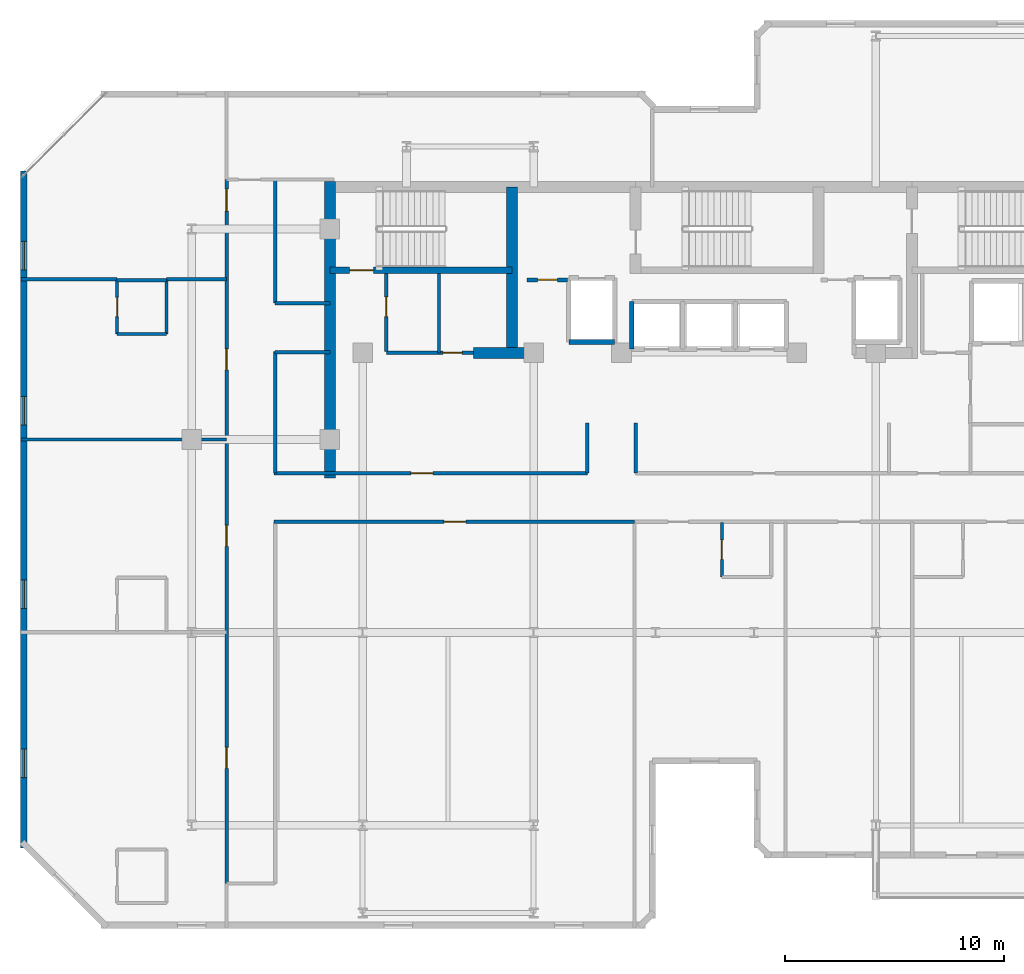
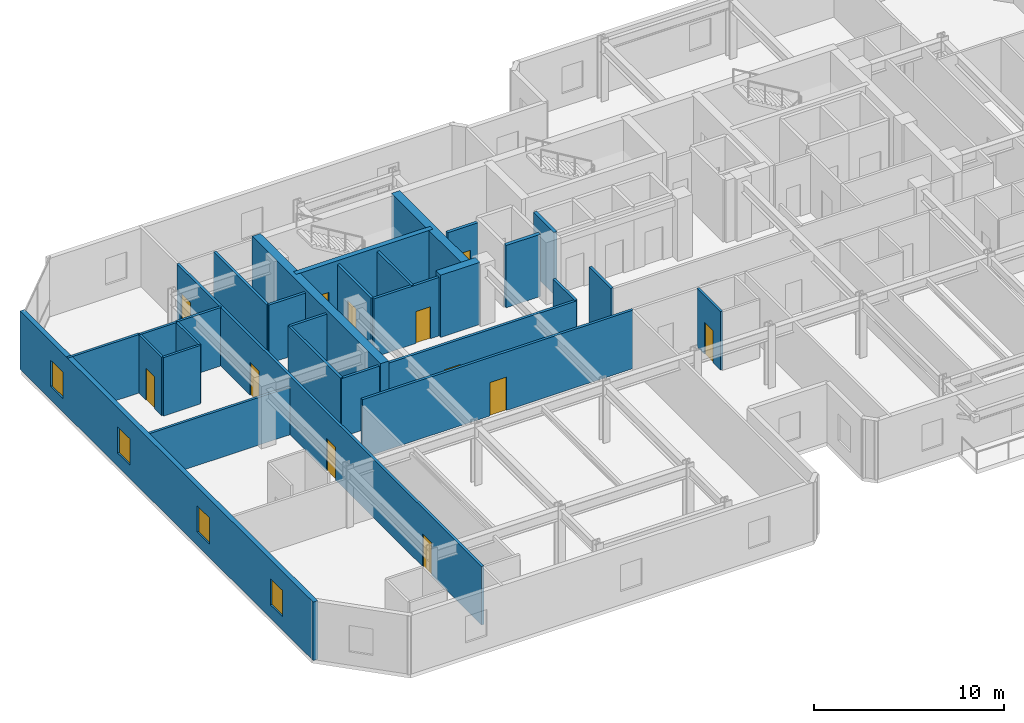
# One storey, part 4 of 11: 28 walls, 12 doors, 4 windows, 16 openings.
"""IFC4 building model written with IfcOpenShell, lengths in metres."""

from ifc_helpers import new_model, si_unit, direction, frame, frame_2d, origin, place, context, subcontext, project, spatial, rectangle, extrude, material, layer, layer_set, type_object, element, fill, save


model = new_model("IFC4")

# Units and contexts
model_context = context("Model", 3, precision=1e-05, world=origin(), true_north=direction((0.0, 1.0)))
body_context = subcontext(model_context, "Body", "Model", "MODEL_VIEW")
ifc_project = project(units=[si_unit("LENGTHUNIT", "METRE"), si_unit("AREAUNIT", "SQUARE_METRE"), si_unit("VOLUMEUNIT", "CUBIC_METRE"), si_unit("PLANEANGLEUNIT", "RADIAN"), si_unit("MASSUNIT", "GRAM", prefix="KILO")], contexts=[model_context])

# Site, building, storey
site_placement = place(None, origin())
site = spatial("IfcSite", under=ifc_project, at=site_placement, CompositionType="ELEMENT")
building_placement = place(site_placement, origin())
building = spatial("IfcBuilding", under=site, at=building_placement, Name="Kestravale Grand Hotel", CompositionType="ELEMENT")
storey_placement = place(building_placement, frame((0.0, 0.0, 249.39990234375)))
storey = spatial("IfcBuildingStorey", under=building, at=storey_placement, Name="L62", CompositionType="ELEMENT", Elevation=249.39990234375)

# Walls
ifc_material_1 = material(Name="Concrete f'c 50 MPa", Category="concrete")
ifc_layer_1 = layer(ifc_material_1, 0.5)
ifc_layer_set_1 = layer_set([ifc_layer_1], Name="EW-CORE-500")
wall_type_1 = type_object("IfcWallType", Name="EW-CORE-500", PredefinedType="SHEAR", material=ifc_layer_set_1)
wall_1_placement = place(storey_placement, frame((21.89990234375, 27.050048828125, 0.0), z_axis=(0.0, 0.0, 1.0), x_axis=(0.0, 1.0, 0.0)))
element("IfcWall", 1, at=wall_1_placement, inside=storey, type_object=wall_type_1, Name="L62 core shear wall W1", PredefinedType="SHEAR", context=body_context, shape_type="SweptSolid", body=[
    extrude(rectangle(XDim=13.52001953125, YDim=0.5, at=frame_2d((6.760009765625, 0.0))), origin(), (0.0, 0.0, 1.0), 4.0),
])
wall_2_placement = place(storey_placement, frame((28.449951171875, 32.75, 0.0), z_axis=(0.0, 0.0, 1.0), x_axis=(1.0, 0.0, 0.0)))
element("IfcWall", 2, at=wall_2_placement, inside=storey, type_object=wall_type_1, Name="L62 core shear wall S1", PredefinedType="SHEAR", context=body_context, shape_type="SweptSolid", body=[
    extrude(rectangle(XDim=2.400146484375, YDim=0.5, at=frame_2d((1.2001953125, 0.0))), origin(), (0.0, 0.0, 1.0), 4.0),
])
wall_3_placement = place(storey_placement, frame((30.219970703125, 33.0, 0.0), z_axis=(0.0, 0.0, 1.0), x_axis=(0.0, 1.0, 0.0)))
element("IfcWall", 3, at=wall_3_placement, inside=storey, type_object=wall_type_1, Name="L62 core shear wall X1", PredefinedType="SHEAR", context=body_context, shape_type="SweptSolid", body=[
    extrude(rectangle(XDim=7.320068359375, YDim=0.5, at=frame_2d((3.66015625, 0.0))), origin(), (0.0, 0.0, 1.0), 4.0),
])

# Wall, openings, windows
ifc_material_2 = material(Name="Precast concrete f'c 45 MPa", Category="concrete")
ifc_layer_2 = layer(ifc_material_2, 0.280029296875)
ifc_layer_set_2 = layer_set([ifc_layer_2], Name="EW-PREC-280")
wall_type_2 = type_object("IfcWallType", Name="EW-PREC-280", PredefinedType="SOLIDWALL", material=ifc_layer_set_2)
wall_4_placement = place(storey_placement, frame((7.93994140625, 41.0400390625, 0.0), z_axis=(0.0, 0.0, 1.0), x_axis=(0.0, -1.0, 0.0)))
wall_4 = element("IfcWall", 4, at=wall_4_placement, inside=storey, type_object=wall_type_2, Name="L62 fluted precast facade wall 19", PredefinedType="SOLIDWALL", context=body_context, shape_type="SweptSolid", body=[
    extrude(rectangle(XDim=30.880126953125, YDim=0.280029296875, at=frame_2d((15.43994140625, 0.0))), origin(), (0.0, 0.0, 1.0), 3.760009765625),
])
opening_1_placement = place(wall_4_placement, frame((3.2099609375, 0.0, 0.85009765625)))
opening_1 = element("IfcOpeningElement", 5, at=opening_1_placement, cuts=wall_4, Name="Opening W-GUEST-1300", PredefinedType="OPENING", context=body_context, shape_type="SweptSolid", body=[
    extrude(rectangle(XDim=1.300048828125, YDim=1.699951171875, at=frame_2d((0.64990234375, 0.85009765625))), frame((0.0, 0.14990234375, 0.0), z_axis=(0.0, -1.0, 0.0), x_axis=(1.0, 0.0, 0.0)), (0.0, 0.0, 1.0), 0.300048828125),
])
opening_2_placement = place(wall_4_placement, frame((10.280029296875, 0.0, 0.85009765625)))
opening_2 = element("IfcOpeningElement", 6, at=opening_2_placement, cuts=wall_4, Name="Opening W-GUEST-1300", PredefinedType="OPENING", context=body_context, shape_type="SweptSolid", body=[
    extrude(rectangle(XDim=1.300048828125, YDim=1.699951171875, at=frame_2d((0.64990234375, 0.85009765625))), frame((0.0, 0.14990234375, 0.0), z_axis=(0.0, -1.0, 0.0), x_axis=(1.0, 0.0, 0.0)), (0.0, 0.0, 1.0), 0.300048828125),
])
opening_3_placement = place(wall_4_placement, frame((18.64990234375, 0.0, 0.85009765625)))
opening_3 = element("IfcOpeningElement", 7, at=opening_3_placement, cuts=wall_4, Name="Opening W-GUEST-1300", PredefinedType="OPENING", context=body_context, shape_type="SweptSolid", body=[
    extrude(rectangle(XDim=1.300048828125, YDim=1.699951171875, at=frame_2d((0.64990234375, 0.85009765625))), frame((0.0, 0.14990234375, 0.0), z_axis=(0.0, -1.0, 0.0), x_axis=(1.0, 0.0, 0.0)), (0.0, 0.0, 1.0), 0.300048828125),
])
opening_4_placement = place(wall_4_placement, frame((26.3701171875, 0.0, 0.85009765625)))
opening_4 = element("IfcOpeningElement", 8, at=opening_4_placement, cuts=wall_4, Name="Opening W-GUEST-1300", PredefinedType="OPENING", context=body_context, shape_type="SweptSolid", body=[
    extrude(rectangle(XDim=1.300048828125, YDim=1.699951171875, at=frame_2d((0.64990234375, 0.85009765625))), frame((0.0, 0.14990234375, 0.0), z_axis=(0.0, -1.0, 0.0), x_axis=(1.0, 0.0, 0.0)), (0.0, 0.0, 1.0), 0.300048828125),
])
ifc_material_3 = material(Name="Insulated low-E double glazing in aluminium frame", Category="aluminium")
window_type = type_object("IfcWindowType", Name="W-GUEST-1300", PartitioningType="SINGLE_PANEL", PredefinedType="WINDOW", material=ifc_material_3)
window_1_placement = place(opening_1_placement, origin())
window_1 = element("IfcWindow", 9, at=window_1_placement, inside=storey, type_object=window_type, Name="L62 exterior window 19.1", OverallHeight=1.699951171875, OverallWidth=1.300048828125, PartitioningType="SINGLE_PANEL", PredefinedType="WINDOW", context=body_context, shape_type="SweptSolid", body=[
    extrude(rectangle(XDim=1.300048828125, YDim=1.699951171875, at=frame_2d((0.64990234375, 0.85009765625))), frame((0.0, 0.030029296875, 0.0), z_axis=(0.0, -1.0, 0.0), x_axis=(1.0, 0.0, 0.0)), (0.0, 0.0, 1.0), 0.06005859375),
])
fill(opening_1, window_1)
window_2_placement = place(opening_2_placement, origin())
window_2 = element("IfcWindow", 10, at=window_2_placement, inside=storey, type_object=window_type, Name="L62 exterior window 19.2", OverallHeight=1.699951171875, OverallWidth=1.300048828125, PartitioningType="SINGLE_PANEL", PredefinedType="WINDOW", context=body_context, shape_type="SweptSolid", body=[
    extrude(rectangle(XDim=1.300048828125, YDim=1.699951171875, at=frame_2d((0.64990234375, 0.85009765625))), frame((0.0, 0.030029296875, 0.0), z_axis=(0.0, -1.0, 0.0), x_axis=(1.0, 0.0, 0.0)), (0.0, 0.0, 1.0), 0.06005859375),
])
fill(opening_2, window_2)
window_3_placement = place(opening_3_placement, origin())
window_3 = element("IfcWindow", 11, at=window_3_placement, inside=storey, type_object=window_type, Name="L62 exterior window 19.3", OverallHeight=1.699951171875, OverallWidth=1.300048828125, PartitioningType="SINGLE_PANEL", PredefinedType="WINDOW", context=body_context, shape_type="SweptSolid", body=[
    extrude(rectangle(XDim=1.300048828125, YDim=1.699951171875, at=frame_2d((0.64990234375, 0.85009765625))), frame((0.0, 0.030029296875, 0.0), z_axis=(0.0, -1.0, 0.0), x_axis=(1.0, 0.0, 0.0)), (0.0, 0.0, 1.0), 0.06005859375),
])
fill(opening_3, window_3)
window_4_placement = place(opening_4_placement, origin())
window_4 = element("IfcWindow", 12, at=window_4_placement, inside=storey, type_object=window_type, Name="L62 exterior window 19.4", OverallHeight=1.699951171875, OverallWidth=1.300048828125, PartitioningType="SINGLE_PANEL", PredefinedType="WINDOW", context=body_context, shape_type="SweptSolid", body=[
    extrude(rectangle(XDim=1.300048828125, YDim=1.699951171875, at=frame_2d((0.64990234375, 0.85009765625))), frame((0.0, 0.030029296875, 0.0), z_axis=(0.0, -1.0, 0.0), x_axis=(1.0, 0.0, 0.0)), (0.0, 0.0, 1.0), 0.06005859375),
])
fill(opening_4, window_4)

# Wall, opening, door
ifc_material_4 = material(Name="Concrete f'c 45 MPa", Category="concrete")
ifc_layer_3 = layer(ifc_material_4, 0.300048828125)
ifc_layer_set_3 = layer_set([ifc_layer_3], Name="EW-STAIR-300")
wall_type_3 = type_object("IfcWallType", Name="EW-STAIR-300", PredefinedType="SHEAR", material=ifc_layer_set_3)
wall_5_placement = place(storey_placement, frame((21.89990234375, 36.52001953125, 0.0), z_axis=(0.0, 0.0, 1.0), x_axis=(1.0, 0.0, 0.0)))
wall_5 = element("IfcWall", 13, at=wall_5_placement, inside=storey, type_object=wall_type_3, Name="L62 stair enclosure shear wall SST1", PredefinedType="SHEAR", context=body_context, shape_type="SweptSolid", body=[
    extrude(rectangle(XDim=8.320068359375, YDim=0.300048828125, at=frame_2d((4.16015625, 0.0))), origin(), (0.0, 0.0, 1.0), 4.0),
])
opening_5_placement = place(wall_5_placement, frame((0.89990234375, 0.0, 0.0)))
opening_5 = element("IfcOpeningElement", 14, at=opening_5_placement, cuts=wall_5, Name="Opening D-ST-1100", PredefinedType="OPENING", context=body_context, shape_type="SweptSolid", body=[
    extrude(rectangle(XDim=1.10009765625, YDim=2.14990234375, at=frame_2d((0.550048828125, 1.074951171875))), frame((0.0, 0.159912109375, 0.0), z_axis=(0.0, -1.0, 0.0), x_axis=(1.0, 0.0, 0.0)), (0.0, 0.0, 1.0), 0.320068359375),
])
ifc_material_5 = material(Name="Galvanised 90-minute fire-rated steel stair door", Category="steel")
door_type_1 = type_object("IfcDoorType", Name="D-ST-1100", OperationType="NOTDEFINED", PredefinedType="DOOR", material=ifc_material_5)
door_1_placement = place(opening_5_placement, origin())
door_1 = element("IfcDoor", 15, at=door_1_placement, inside=storey, type_object=door_type_1, Name="L62 Stair ST-1 fire door", OperationType="SINGLE_SWING_RIGHT", OverallHeight=2.14990234375, OverallWidth=1.10009765625, PredefinedType="DOOR", context=body_context, shape_type="SweptSolid", body=[
    extrude(rectangle(XDim=1.10009765625, YDim=2.14990234375, at=frame_2d((0.550048828125, 1.074951171875))), frame((0.0, 0.02490234375, 0.0), z_axis=(0.0, -1.0, 0.0), x_axis=(1.0, 0.0, 0.0)), (0.0, 0.0, 1.0), 0.050048828125),
])
fill(opening_5, door_1)

ifc_material_6 = material(Name="Acoustic fire-rated gypsum board partition", Category="other")
ifc_layer_4 = layer(ifc_material_6, 0.159912109375)
ifc_layer_set_4 = layer_set([ifc_layer_4], Name="IW-CORR-160")
wall_type_4 = type_object("IfcWallType", Name="IW-CORR-160", PredefinedType="PARTITIONING", material=ifc_layer_set_4)
wall_6_placement = place(storey_placement, frame((24.47998046875, 32.800048828125, 0.0), z_axis=(0.0, 0.0, 1.0), x_axis=(0.0, 1.0, 0.0)))
wall_6 = element("IfcWall", 16, at=wall_6_placement, inside=storey, type_object=wall_type_4, Name="L62 west core vestibule wall", PredefinedType="PARTITIONING", context=body_context, shape_type="SweptSolid", body=[
    extrude(rectangle(XDim=3.570068359375, YDim=0.159912109375, at=frame_2d((1.78515625, 0.0))), origin(), (0.0, 0.0, 1.0), 3.760009765625),
])
opening_6_placement = place(wall_6_placement, frame((1.603515625, 0.0, 0.0)))
opening_6 = element("IfcOpeningElement", 17, at=opening_6_placement, cuts=wall_6, Name="Opening D-SH-900", PredefinedType="OPENING", context=body_context, shape_type="SweptSolid", body=[
    extrude(rectangle(XDim=0.89990234375, YDim=2.10009765625, at=frame_2d((0.449951171875, 1.050048828125))), frame((0.0, 0.08984375, 0.0), z_axis=(0.0, -1.0, 0.0), x_axis=(1.0, 0.0, 0.0)), (0.0, 0.0, 1.0), 0.179931640625),
])
ifc_material_7 = material(Name="Galvanised 90-minute shaft and service fire door", Category="steel")
door_type_2 = type_object("IfcDoorType", Name="D-SH-900", OperationType="NOTDEFINED", PredefinedType="DOOR", material=ifc_material_7)
door_2_placement = place(opening_6_placement, origin())
door_2 = element("IfcDoor", 18, at=door_2_placement, inside=storey, type_object=door_type_2, Name="D-L62-HK", OperationType="SINGLE_SWING_RIGHT", OverallHeight=2.10009765625, OverallWidth=0.89990234375, PredefinedType="DOOR", context=body_context, shape_type="SweptSolid", body=[
    extrude(rectangle(XDim=0.89990234375, YDim=2.10009765625, at=frame_2d((0.449951171875, 1.050048828125))), frame((0.0, 0.02490234375, 0.0), z_axis=(0.0, -1.0, 0.0), x_axis=(1.0, 0.0, 0.0)), (0.0, 0.0, 1.0), 0.050048828125),
])
fill(opening_6, door_2)

wall_7_placement = place(storey_placement, frame((24.47998046875, 32.75, 0.0), z_axis=(0.0, 0.0, 1.0), x_axis=(1.0, 0.0, 0.0)))
wall_7 = element("IfcWall", 19, at=wall_7_placement, inside=storey, type_object=wall_type_4, Name="W-L62-CWS", PredefinedType="PARTITIONING", context=body_context, shape_type="SweptSolid", body=[
    extrude(rectangle(XDim=3.969970703125, YDim=0.159912109375, at=frame_2d((1.98486328125, 0.0))), origin(), (0.0, 0.0, 1.0), 3.760009765625),
])
opening_7_placement = place(wall_7_placement, frame((2.574951171875, 0.0, 0.0)))
opening_7 = element("IfcOpeningElement", 20, at=opening_7_placement, cuts=wall_7, Name="Opening D-BATH-880", PredefinedType="OPENING", context=body_context, shape_type="SweptSolid", body=[
    extrude(rectangle(XDim=0.8798828125, YDim=2.050048828125, at=frame_2d((0.43994140625, 1.02490234375))), frame((0.0, 0.08984375, 0.0), z_axis=(0.0, -1.0, 0.0), x_axis=(1.0, 0.0, 0.0)), (0.0, 0.0, 1.0), 0.179931640625),
])
ifc_material_8 = material(Name="Moisture-sealed walnut en-suite bathroom door", Category="wood")
door_type_3 = type_object("IfcDoorType", Name="D-BATH-880", OperationType="NOTDEFINED", PredefinedType="DOOR", material=ifc_material_8)
door_3_placement = place(opening_7_placement, origin())
door_3 = element("IfcDoor", 21, at=door_3_placement, inside=storey, type_object=door_type_3, Name="D-L62-SWC", OperationType="SINGLE_SWING_RIGHT", OverallHeight=2.050048828125, OverallWidth=0.8798828125, PredefinedType="DOOR", context=body_context, shape_type="SweptSolid", body=[
    extrude(rectangle(XDim=0.8798828125, YDim=2.050048828125, at=frame_2d((0.43994140625, 1.02490234375))), frame((0.0, 0.02490234375, 0.0), z_axis=(0.0, -1.0, 0.0), x_axis=(1.0, 0.0, 0.0)), (0.0, 0.0, 1.0), 0.050048828125),
])
fill(opening_7, door_3)

wall_8_placement = place(storey_placement, frame((19.35009765625, 27.260009765625, 0.0), z_axis=(0.0, 0.0, 1.0), x_axis=(1.0, 0.0, 0.0)))
wall_8 = element("IfcWall", 22, at=wall_8_placement, inside=storey, type_object=wall_type_4, Name="W-L62-CW-N", PredefinedType="PARTITIONING", context=body_context, shape_type="SweptSolid", body=[
    extrude(rectangle(XDim=14.2998046875, YDim=0.159912109375, at=frame_2d((7.14990234375, 0.0))), origin(), (0.0, 0.0, 1.0), 3.760009765625),
])
opening_8_placement = place(wall_8_placement, frame((6.25, 0.0, 0.0)))
opening_8 = element("IfcOpeningElement", 23, at=opening_8_placement, cuts=wall_8, Name="Opening D-GUEST-1000", PredefinedType="OPENING", context=body_context, shape_type="SweptSolid", body=[
    extrude(rectangle(XDim=1.0, YDim=2.14990234375, at=frame_2d((0.5, 1.074951171875))), frame((0.0, 0.08984375, 0.0), z_axis=(0.0, -1.0, 0.0), x_axis=(1.0, 0.0, 0.0)), (0.0, 0.0, 1.0), 0.179931640625),
])
ifc_material_9 = material(Name="Accessible walnut veneer hotel entrance fire door", Category="wood")
door_type_4 = type_object("IfcDoorType", Name="D-GUEST-1000", OperationType="NOTDEFINED", PredefinedType="DOOR", material=ifc_material_9)
door_4_placement = place(opening_8_placement, origin())
door_4 = element("IfcDoor", 24, at=door_4_placement, inside=storey, type_object=door_type_4, Name="D-L62-RECL-W", OperationType="SINGLE_SWING_LEFT", OverallHeight=2.14990234375, OverallWidth=1.0, PredefinedType="DOOR", context=body_context, shape_type="SweptSolid", body=[
    extrude(rectangle(XDim=1.0, YDim=2.14990234375, at=frame_2d((0.5, 1.074951171875))), frame((0.0, 0.02490234375, 0.0), z_axis=(0.0, -1.0, 0.0), x_axis=(1.0, 0.0, 0.0)), (0.0, 0.0, 1.0), 0.050048828125),
])
fill(opening_8, door_4)

# Walls
for number, where, z_axis, x_axis, name in (
    (25, (33.64990234375, 27.260009765625, 0.0), (0.0, 0.0, 1.0), (0.0, 1.0, 0.0), "W-L62-TRUNK-W"),
    (26, (35.85009765625, 27.260009765625, 0.0), (0.0, 0.0, 1.0), (0.0, 1.0, 0.0), "W-L62-TRUNK-E"),
):
    element("IfcWall", number, at=place(storey_placement, frame(where, z_axis=z_axis, x_axis=x_axis)), inside=storey, type_object=wall_type_4, Name=name, PredefinedType="PARTITIONING", context=body_context, shape_type="SweptSolid", body=[
        extrude(rectangle(XDim=2.2900390625, YDim=0.159912109375, at=frame_2d((1.14501953125, 0.0))), origin(), (0.0, 0.0, 1.0), 3.760009765625),
    ])

# Wall, opening, door
wall_9_placement = place(storey_placement, frame((19.35009765625, 25.0400390625, 0.0), z_axis=(0.0, 0.0, 1.0), x_axis=(1.0, 0.0, 0.0)))
wall_9 = element("IfcWall", 27, at=wall_9_placement, inside=storey, type_object=wall_type_4, Name="W-L62-CW-S", PredefinedType="PARTITIONING", context=body_context, shape_type="SweptSolid", body=[
    extrude(rectangle(XDim=16.449951171875, YDim=0.159912109375, at=frame_2d((8.22509765625, 0.0))), origin(), (0.0, 0.0, 1.0), 3.760009765625),
])
opening_9_placement = place(wall_9_placement, frame((7.7548828125, 0.0, 0.0)))
opening_9 = element("IfcOpeningElement", 28, at=opening_9_placement, cuts=wall_9, Name="Opening D-GUEST-1000", PredefinedType="OPENING", context=body_context, shape_type="SweptSolid", body=[
    extrude(rectangle(XDim=1.0, YDim=2.14990234375, at=frame_2d((0.5, 1.074951171875))), frame((0.0, 0.08984375, 0.0), z_axis=(0.0, -1.0, 0.0), x_axis=(1.0, 0.0, 0.0)), (0.0, 0.0, 1.0), 0.179931640625),
])
door_5_placement = place(opening_9_placement, origin())
door_5 = element("IfcDoor", 29, at=door_5_placement, inside=storey, type_object=door_type_4, Name="D-L62-AMW", OperationType="SINGLE_SWING_RIGHT", OverallHeight=2.14990234375, OverallWidth=1.0, PredefinedType="DOOR", context=body_context, shape_type="SweptSolid", body=[
    extrude(rectangle(XDim=1.0, YDim=2.14990234375, at=frame_2d((0.5, 1.074951171875))), frame((0.0, 0.02490234375, 0.0), z_axis=(0.0, -1.0, 0.0), x_axis=(1.0, 0.0, 0.0)), (0.0, 0.0, 1.0), 0.050048828125),
])
fill(opening_9, door_5)

# Wall, openings, doors
wall_10_placement = place(storey_placement, frame((17.18994140625, 8.550048828125, 0.0), z_axis=(0.0, 0.0, 1.0), x_axis=(0.0, 1.0, 0.0)))
wall_10 = element("IfcWall", 30, at=wall_10_placement, inside=storey, type_object=wall_type_4, Name="W-L62-SW-W", PredefinedType="PARTITIONING", context=body_context, shape_type="SweptSolid", body=[
    extrude(rectangle(XDim=32.099853515625, YDim=0.159912109375, at=frame_2d((16.0498046875, 0.0))), origin(), (0.0, 0.0, 1.0), 3.760009765625),
])
opening_10_placement = place(wall_10_placement, frame((5.25, 0.0, 0.0)))
opening_10 = element("IfcOpeningElement", 31, at=opening_10_placement, cuts=wall_10, Name="Opening D-GUEST-950", PredefinedType="OPENING", context=body_context, shape_type="SweptSolid", body=[
    extrude(rectangle(XDim=0.949951171875, YDim=2.10009765625, at=frame_2d((0.47509765625, 1.050048828125))), frame((0.0, 0.08984375, 0.0), z_axis=(0.0, -1.0, 0.0), x_axis=(1.0, 0.0, 0.0)), (0.0, 0.0, 1.0), 0.179931640625),
])
opening_11_placement = place(wall_10_placement, frame((15.375, 0.0, 0.0)))
opening_11 = element("IfcOpeningElement", 32, at=opening_11_placement, cuts=wall_10, Name="Opening D-GUEST-950", PredefinedType="OPENING", context=body_context, shape_type="SweptSolid", body=[
    extrude(rectangle(XDim=0.949951171875, YDim=2.10009765625, at=frame_2d((0.47509765625, 1.050048828125))), frame((0.0, 0.08984375, 0.0), z_axis=(0.0, -1.0, 0.0), x_axis=(1.0, 0.0, 0.0)), (0.0, 0.0, 1.0), 0.179931640625),
])
opening_12_placement = place(wall_10_placement, frame((23.425048828125, 0.0, 0.0)))
opening_12 = element("IfcOpeningElement", 33, at=opening_12_placement, cuts=wall_10, Name="Opening D-GUEST-950", PredefinedType="OPENING", context=body_context, shape_type="SweptSolid", body=[
    extrude(rectangle(XDim=0.949951171875, YDim=2.10009765625, at=frame_2d((0.47509765625, 1.050048828125))), frame((0.0, 0.08984375, 0.0), z_axis=(0.0, -1.0, 0.0), x_axis=(1.0, 0.0, 0.0)), (0.0, 0.0, 1.0), 0.179931640625),
])
opening_13_placement = place(wall_10_placement, frame((30.659912109375, 0.0, 0.0)))
opening_13 = element("IfcOpeningElement", 34, at=opening_13_placement, cuts=wall_10, Name="Opening D-GUEST-1000", PredefinedType="OPENING", context=body_context, shape_type="SweptSolid", body=[
    extrude(rectangle(XDim=1.0, YDim=2.14990234375, at=frame_2d((0.5, 1.074951171875))), frame((0.0, 0.08984375, 0.0), z_axis=(0.0, -1.0, 0.0), x_axis=(1.0, 0.0, 0.0)), (0.0, 0.0, 1.0), 0.179931640625),
])
door_6_placement = place(opening_13_placement, origin())
door_6 = element("IfcDoor", 35, at=door_6_placement, inside=storey, type_object=door_type_4, Name="D-L62-AMWW", OperationType="SINGLE_SWING_RIGHT", OverallHeight=2.14990234375, OverallWidth=1.0, PredefinedType="DOOR", context=body_context, shape_type="SweptSolid", body=[
    extrude(rectangle(XDim=1.0, YDim=2.14990234375, at=frame_2d((0.5, 1.074951171875))), frame((0.0, 0.02490234375, 0.0), z_axis=(0.0, -1.0, 0.0), x_axis=(1.0, 0.0, 0.0)), (0.0, 0.0, 1.0), 0.050048828125),
])
fill(opening_13, door_6)
ifc_material_10 = material(Name="Walnut veneer hotel guestroom entrance fire door", Category="wood")
door_type_5 = type_object("IfcDoorType", Name="D-GUEST-950", OperationType="NOTDEFINED", PredefinedType="DOOR", material=ifc_material_10)
door_7_placement = place(opening_10_placement, origin())
door_7 = element("IfcDoor", 36, at=door_7_placement, inside=storey, type_object=door_type_5, Name="D-L62-U04-ENT", OperationType="SINGLE_SWING_LEFT", OverallHeight=2.10009765625, OverallWidth=0.949951171875, PredefinedType="DOOR", context=body_context, shape_type="SweptSolid", body=[
    extrude(rectangle(XDim=0.949951171875, YDim=2.10009765625, at=frame_2d((0.47509765625, 1.050048828125))), frame((0.0, 0.02490234375, 0.0), z_axis=(0.0, -1.0, 0.0), x_axis=(1.0, 0.0, 0.0)), (0.0, 0.0, 1.0), 0.050048828125),
])
fill(opening_10, door_7)
door_8_placement = place(opening_11_placement, origin())
door_8 = element("IfcDoor", 37, at=door_8_placement, inside=storey, type_object=door_type_5, Name="D-L62-U05-ENT", OperationType="SINGLE_SWING_LEFT", OverallHeight=2.10009765625, OverallWidth=0.949951171875, PredefinedType="DOOR", context=body_context, shape_type="SweptSolid", body=[
    extrude(rectangle(XDim=0.949951171875, YDim=2.10009765625, at=frame_2d((0.47509765625, 1.050048828125))), frame((0.0, 0.02490234375, 0.0), z_axis=(0.0, -1.0, 0.0), x_axis=(1.0, 0.0, 0.0)), (0.0, 0.0, 1.0), 0.050048828125),
])
fill(opening_11, door_8)
door_9_placement = place(opening_12_placement, origin())
door_9 = element("IfcDoor", 38, at=door_9_placement, inside=storey, type_object=door_type_5, Name="D-L62-U06-ENT", OperationType="SINGLE_SWING_LEFT", OverallHeight=2.10009765625, OverallWidth=0.949951171875, PredefinedType="DOOR", context=body_context, shape_type="SweptSolid", body=[
    extrude(rectangle(XDim=0.949951171875, YDim=2.10009765625, at=frame_2d((0.47509765625, 1.050048828125))), frame((0.0, 0.02490234375, 0.0), z_axis=(0.0, -1.0, 0.0), x_axis=(1.0, 0.0, 0.0)), (0.0, 0.0, 1.0), 0.050048828125),
])
fill(opening_12, door_9)

# Walls
wall_11_placement = place(storey_placement, frame((19.409912109375, 35.02001953125, 0.0), z_axis=(0.0, 0.0, 1.0), x_axis=(0.0, 1.0, 0.0)))
element("IfcWall", 39, at=wall_11_placement, inside=storey, type_object=wall_type_4, Name="W-L62-SW-EN", PredefinedType="PARTITIONING", context=body_context, shape_type="SweptSolid", body=[
    extrude(rectangle(XDim=5.6298828125, YDim=0.159912109375, at=frame_2d((2.81494140625, 0.0))), origin(), (0.0, 0.0, 1.0), 3.760009765625),
])
for number, where, z_axis, x_axis, name in (
    (40, (19.409912109375, 35.02001953125, 0.0), (0.0, 0.0, 1.0), (1.0, 0.0, 0.0), "W-L62-SW-CN"),
    (41, (19.409912109375, 32.780029296875, 0.0), (0.0, 0.0, 1.0), (1.0, 0.0, 0.0), "W-L62-SW-CS"),
):
    element("IfcWall", number, at=place(storey_placement, frame(where, z_axis=z_axis, x_axis=x_axis)), inside=storey, type_object=wall_type_4, Name=name, PredefinedType="PARTITIONING", context=body_context, shape_type="SweptSolid", body=[
        extrude(rectangle(XDim=2.489990234375, YDim=0.159912109375, at=frame_2d((1.2451171875, 0.0))), origin(), (0.0, 0.0, 1.0), 3.760009765625),
    ])

# Wall, opening, door
ifc_material_11 = material(Name="Fire-rated gypsum board on steel studs with mineral wool", Category="steel")
ifc_layer_5 = layer(ifc_material_11, 0.179931640625)
ifc_layer_set_5 = layer_set([ifc_layer_5], Name="IW-FSAE-180")
wall_type_5 = type_object("IfcWallType", Name="IW-FSAE-180", PredefinedType="PARTITIONING", material=ifc_layer_set_5)
wall_12_placement = place(storey_placement, frame((30.89990234375, 36.080078125, 0.0), z_axis=(0.0, 0.0, 1.0), x_axis=(1.0, 0.0, 0.0)))
wall_12 = element("IfcWall", 42, at=wall_12_placement, inside=storey, type_object=wall_type_5, Name="L62 FSAE Lobby 1 smoke barrier", PredefinedType="PARTITIONING", context=body_context, shape_type="SweptSolid", body=[
    extrude(rectangle(XDim=1.85009765625, YDim=0.179931640625, at=frame_2d((0.925048828125, 0.0))), origin(), (0.0, 0.0, 1.0), 3.760009765625),
])
opening_14_placement = place(wall_12_placement, frame((0.47998046875, 0.0, 0.0)))
opening_14 = element("IfcOpeningElement", 43, at=opening_14_placement, cuts=wall_12, Name="Opening D-FSAE-1000", PredefinedType="OPENING", context=body_context, shape_type="SweptSolid", body=[
    extrude(rectangle(XDim=0.89990234375, YDim=2.14990234375, at=frame_2d((0.449951171875, 1.074951171875))), frame((0.0, 0.099853515625, 0.0), z_axis=(0.0, -1.0, 0.0), x_axis=(1.0, 0.0, 0.0)), (0.0, 0.0, 1.0), 0.199951171875),
])
ifc_material_12 = material(Name="Smoke-gasketed FSAE lobby fire door", Category="steel")
door_type_6 = type_object("IfcDoorType", Name="D-FSAE-1000", OperationType="NOTDEFINED", PredefinedType="DOOR", material=ifc_material_12)
door_10_placement = place(opening_14_placement, origin())
door_10 = element("IfcDoor", 44, at=door_10_placement, inside=storey, type_object=door_type_6, Name="L62 FSAE Lobby 1 fire door", OperationType="SINGLE_SWING_RIGHT", OverallHeight=2.14990234375, OverallWidth=0.89990234375, PredefinedType="DOOR", context=body_context, shape_type="SweptSolid", body=[
    extrude(rectangle(XDim=0.89990234375, YDim=2.14990234375, at=frame_2d((0.449951171875, 1.074951171875))), frame((0.0, 0.02490234375, 0.0), z_axis=(0.0, -1.0, 0.0), x_axis=(1.0, 0.0, 0.0)), (0.0, 0.0, 1.0), 0.050048828125),
])
fill(opening_14, door_10)

ifc_material_13 = material(Name="Moisture-resistant tile-backer plumbing chase wall", Category="other")
ifc_layer_6 = layer(ifc_material_13, 0.139892578125)
ifc_layer_set_6 = layer_set([ifc_layer_6], Name="IW-PLB-140")
wall_type_6 = type_object("IfcWallType", Name="IW-PLB-140", PredefinedType="PLUMBINGWALL", material=ifc_layer_set_6)
wall_13_placement = place(storey_placement, frame((39.784912109375, 22.530029296875, 0.0), z_axis=(0.0, 0.0, 1.0), x_axis=(0.0, 1.0, 0.0)))
wall_13 = element("IfcWall", 45, at=wall_13_placement, inside=storey, type_object=wall_type_6, Name="W-L62-U01-BW", PredefinedType="PLUMBINGWALL", context=body_context, shape_type="SweptSolid", body=[
    extrude(rectangle(XDim=2.489990234375, YDim=0.139892578125, at=frame_2d((1.2451171875, 0.0))), origin(), (0.0, 0.0, 1.0), 3.760009765625),
])
opening_15_placement = place(wall_13_placement, frame((0.804931640625, 0.0, 0.0)))
opening_15 = element("IfcOpeningElement", 46, at=opening_15_placement, cuts=wall_13, Name="Opening D-BATH-880", PredefinedType="OPENING", context=body_context, shape_type="SweptSolid", body=[
    extrude(rectangle(XDim=0.8798828125, YDim=2.050048828125, at=frame_2d((0.43994140625, 1.02490234375))), frame((0.0, 0.079833984375, 0.0), z_axis=(0.0, -1.0, 0.0), x_axis=(1.0, 0.0, 0.0)), (0.0, 0.0, 1.0), 0.159912109375),
])
door_11_placement = place(opening_15_placement, origin())
door_11 = element("IfcDoor", 47, at=door_11_placement, inside=storey, type_object=door_type_3, Name="D-L62-U01-BATH", OperationType="SINGLE_SWING_LEFT", OverallHeight=2.050048828125, OverallWidth=0.8798828125, PredefinedType="DOOR", context=body_context, shape_type="SweptSolid", body=[
    extrude(rectangle(XDim=0.8798828125, YDim=2.050048828125, at=frame_2d((0.43994140625, 1.02490234375))), frame((0.0, 0.02490234375, 0.0), z_axis=(0.0, -1.0, 0.0), x_axis=(1.0, 0.0, 0.0)), (0.0, 0.0, 1.0), 0.050048828125),
])
fill(opening_15, door_11)

wall_14_placement = place(storey_placement, frame((12.199951171875, 33.610107421875, 0.0), z_axis=(0.0, 0.0, 1.0), x_axis=(0.0, 1.0, 0.0)))
wall_14 = element("IfcWall", 48, at=wall_14_placement, inside=storey, type_object=wall_type_6, Name="W-L62-U06-BW", PredefinedType="PLUMBINGWALL", context=body_context, shape_type="SweptSolid", body=[
    extrude(rectangle(XDim=2.449951171875, YDim=0.139892578125, at=frame_2d((1.22509765625, 0.0))), origin(), (0.0, 0.0, 1.0), 3.760009765625),
])
opening_16_placement = place(wall_14_placement, frame((0.784912109375, 0.0, 0.0)))
opening_16 = element("IfcOpeningElement", 49, at=opening_16_placement, cuts=wall_14, Name="Opening D-BATH-880", PredefinedType="OPENING", context=body_context, shape_type="SweptSolid", body=[
    extrude(rectangle(XDim=0.8798828125, YDim=2.050048828125, at=frame_2d((0.43994140625, 1.02490234375))), frame((0.0, 0.079833984375, 0.0), z_axis=(0.0, -1.0, 0.0), x_axis=(1.0, 0.0, 0.0)), (0.0, 0.0, 1.0), 0.159912109375),
])
door_12_placement = place(opening_16_placement, origin())
door_12 = element("IfcDoor", 50, at=door_12_placement, inside=storey, type_object=door_type_3, Name="D-L62-U06-BATH", OperationType="SINGLE_SWING_RIGHT", OverallHeight=2.050048828125, OverallWidth=0.8798828125, PredefinedType="DOOR", context=body_context, shape_type="SweptSolid", body=[
    extrude(rectangle(XDim=0.8798828125, YDim=2.050048828125, at=frame_2d((0.43994140625, 1.02490234375))), frame((0.0, 0.02490234375, 0.0), z_axis=(0.0, -1.0, 0.0), x_axis=(1.0, 0.0, 0.0)), (0.0, 0.0, 1.0), 0.050048828125),
])
fill(opening_16, door_12)

# Walls
wall_15_placement = place(storey_placement, frame((14.449951171875, 33.610107421875, 0.0), z_axis=(0.0, 0.0, 1.0), x_axis=(0.0, 1.0, 0.0)))
element("IfcWall", 51, at=wall_15_placement, inside=storey, type_object=wall_type_6, Name="W-L62-U06-BE", PredefinedType="PLUMBINGWALL", context=body_context, shape_type="SweptSolid", body=[
    extrude(rectangle(XDim=2.449951171875, YDim=0.139892578125, at=frame_2d((1.22509765625, 0.0))), origin(), (0.0, 0.0, 1.0), 3.760009765625),
])
for number, where, z_axis, x_axis, name in (
    (52, (12.199951171875, 33.610107421875, 0.0), (0.0, 0.0, 1.0), (1.0, 0.0, 0.0), "W-L62-U06-BS"),
    (53, (12.199951171875, 36.06005859375, 0.0), (0.0, 0.0, 1.0), (1.0, 0.0, 0.0), "W-L62-U06-BN"),
):
    element("IfcWall", number, at=place(storey_placement, frame(where, z_axis=z_axis, x_axis=x_axis)), inside=storey, type_object=wall_type_6, Name=name, PredefinedType="PLUMBINGWALL", context=body_context, shape_type="SweptSolid", body=[
        extrude(rectangle(XDim=2.25, YDim=0.139892578125, at=frame_2d((1.125, 0.0))), origin(), (0.0, 0.0, 1.0), 3.760009765625),
    ])
ifc_material_14 = material(Name="Concrete f'c 45 MPa", Category="concrete")
ifc_layer_7 = layer(ifc_material_14, 0.199951171875)
ifc_layer_set_7 = layer_set([ifc_layer_7], Name="IW-SHAFT-200")
wall_type_7 = type_object("IfcWallType", Name="IW-SHAFT-200", PredefinedType="SHEAR", material=ifc_layer_set_7)
wall_16_placement = place(storey_placement, frame((35.679931640625, 32.919921875, 0.0), z_axis=(0.0, 0.0, 1.0), x_axis=(0.0, 1.0, 0.0)))
element("IfcWall", 54, at=wall_16_placement, inside=storey, type_object=wall_type_7, Name="L62 PL-X1 west shaft wall", PredefinedType="SHEAR", context=body_context, shape_type="SweptSolid", body=[
    extrude(rectangle(XDim=2.16015625, YDim=0.199951171875, at=frame_2d((1.080078125, 0.0))), origin(), (0.0, 0.0, 1.0), 4.0),
])
ifc_material_15 = material(Name="Concrete f'c 45 MPa", Category="concrete")
ifc_layer_8 = layer(ifc_material_15, 0.219970703125)
ifc_layer_set_8 = layer_set([ifc_layer_8], Name="IW-SHAFT-220")
wall_type_8 = type_object("IfcWallType", Name="IW-SHAFT-220", PredefinedType="SHEAR", material=ifc_layer_set_8)
wall_17_placement = place(storey_placement, frame((32.804931640625, 33.2451171875, 0.0), z_axis=(0.0, 0.0, 1.0), x_axis=(1.0, 0.0, 0.0)))
element("IfcWall", 55, at=wall_17_placement, inside=storey, type_object=wall_type_8, Name="L62 FL-1 south shaft wall", PredefinedType="SHEAR", context=body_context, shape_type="SweptSolid", body=[
    extrude(rectangle(XDim=2.090087890625, YDim=0.219970703125, at=frame_2d((1.044921875, 0.0))), origin(), (0.0, 0.0, 1.0), 4.0),
])
ifc_material_16 = material(Name="Double-stud STC 52 acoustic demising partition", Category="other")
ifc_layer_9 = layer(ifc_material_16, 0.14990234375)
ifc_layer_set_9 = layer_set([ifc_layer_9], Name="IW-UNIT-150")
wall_type_9 = type_object("IfcWallType", Name="IW-UNIT-150", PredefinedType="PARTITIONING", material=ifc_layer_set_9)
wall_18_placement = place(storey_placement, frame((26.8798828125, 32.75, 0.0), z_axis=(0.0, 0.0, 1.0), x_axis=(0.0, 1.0, 0.0)))
element("IfcWall", 56, at=wall_18_placement, inside=storey, type_object=wall_type_9, Name="W-L62-CC3-V", PredefinedType="PARTITIONING", context=body_context, shape_type="SweptSolid", body=[
    extrude(rectangle(XDim=3.6201171875, YDim=0.14990234375, at=frame_2d((1.81005859375, 0.0))), origin(), (0.0, 0.0, 1.0), 3.760009765625),
])
wall_19_placement = place(storey_placement, frame((19.409912109375, 27.260009765625, 0.0), z_axis=(0.0, 0.0, 1.0), x_axis=(0.0, 1.0, 0.0)))
element("IfcWall", 57, at=wall_19_placement, inside=storey, type_object=wall_type_9, Name="W-L62-RCLW-W", PredefinedType="PARTITIONING", context=body_context, shape_type="SweptSolid", body=[
    extrude(rectangle(XDim=5.5400390625, YDim=0.14990234375, at=frame_2d((2.77001953125, 0.0))), origin(), (0.0, 0.0, 1.0), 3.760009765625),
])
wall_20_placement = place(storey_placement, frame((7.820068359375, 28.800048828125, 0.0), z_axis=(0.0, 0.0, 1.0), x_axis=(1.0, 0.0, 0.0)))
element("IfcWall", 58, at=wall_20_placement, inside=storey, type_object=wall_type_9, Name="W-L62-WW-2", PredefinedType="PARTITIONING", context=body_context, shape_type="SweptSolid", body=[
    extrude(rectangle(XDim=9.369873046875, YDim=0.14990234375, at=frame_2d((4.68505859375, 0.0))), origin(), (0.0, 0.0, 1.0), 3.064208984375),
])
wall_21_placement = place(storey_placement, frame((7.820068359375, 36.10009765625, 0.0), z_axis=(0.0, 0.0, 1.0), x_axis=(1.0, 0.0, 0.0)))
element("IfcWall", 59, at=wall_21_placement, inside=storey, type_object=wall_type_9, Name="W-L62-WW-3", PredefinedType="PARTITIONING", context=body_context, shape_type="SweptSolid", body=[
    extrude(rectangle(XDim=4.3798828125, YDim=0.14990234375, at=frame_2d((2.18994140625, 0.0))), origin(), (0.0, 0.0, 1.0), 3.760009765625),
])
wall_22_placement = place(storey_placement, frame((14.449951171875, 36.10009765625, 0.0), z_axis=(0.0, 0.0, 1.0), x_axis=(1.0, 0.0, 0.0)))
element("IfcWall", 60, at=wall_22_placement, inside=storey, type_object=wall_type_9, Name="W-L62-WW-3", PredefinedType="PARTITIONING", context=body_context, shape_type="SweptSolid", body=[
    extrude(rectangle(XDim=2.739990234375, YDim=0.14990234375, at=frame_2d((1.3701171875, 0.0))), origin(), (0.0, 0.0, 1.0), 3.760009765625),
])

save(model, "model.ifc")
